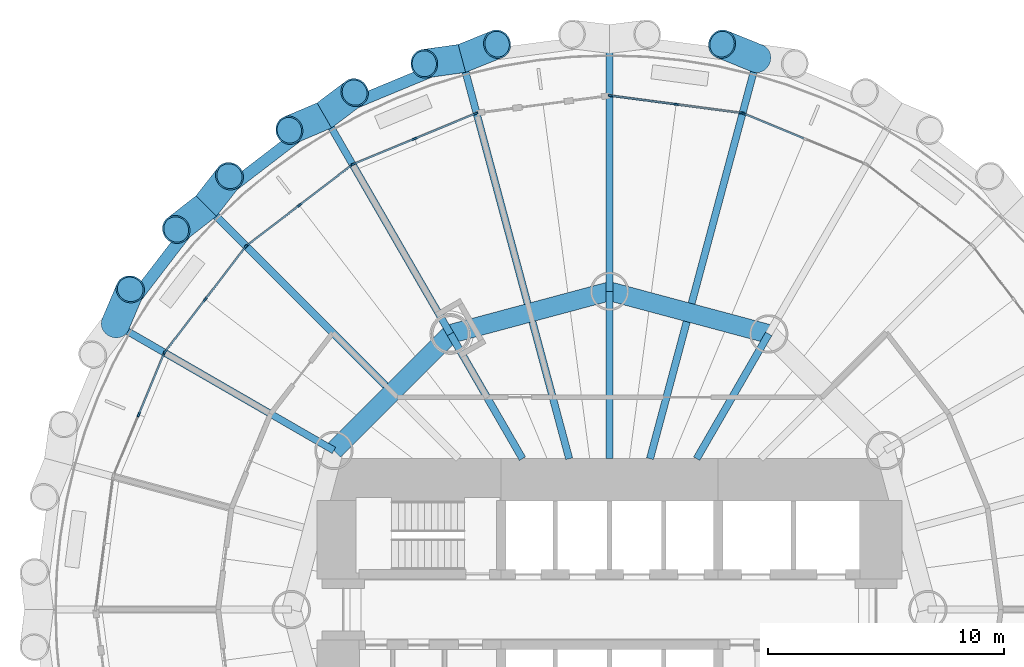
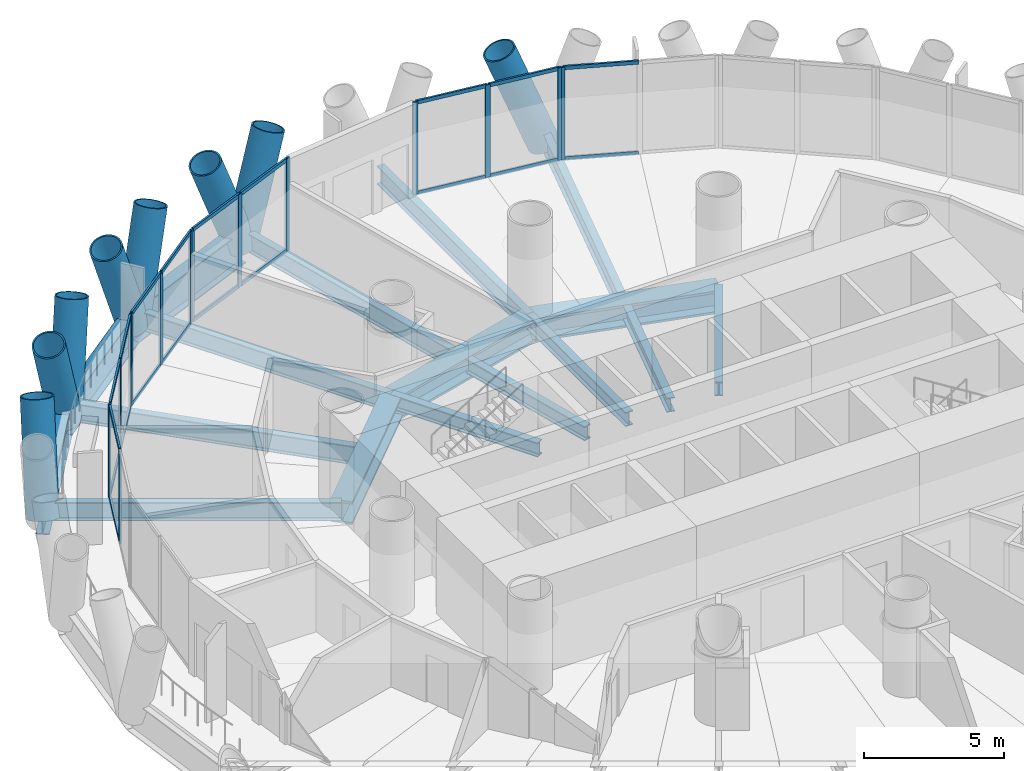
# One storey, part 6 of 16: 43 members, 17 beams, 6 elements without a shape of their own.
"""IFC4 building model written with IfcOpenShell, lengths in metres."""

from ifc_helpers import new_model, si_unit, direction, frame, origin, origin_2d, place, context, subcontext, project, spatial, rectangle, hollow_circle, i_section, extrude, material, material_profile, profile_set, type_object, element, aggregate, save


model = new_model("IFC4")

# Units and contexts
model_context = context("Model", 3, precision=1e-05, world=origin(), true_north=direction((0.0, 1.0)))
body_context = subcontext(model_context, "Body", "Model", "MODEL_VIEW")
ifc_project = project(units=[si_unit("LENGTHUNIT", "METRE"), si_unit("AREAUNIT", "SQUARE_METRE"), si_unit("VOLUMEUNIT", "CUBIC_METRE"), si_unit("PLANEANGLEUNIT", "RADIAN"), si_unit("MASSUNIT", "GRAM", prefix="KILO")], contexts=[model_context])

# Site, building, storey
site_placement = place(None, origin())
site = spatial("IfcSite", under=ifc_project, at=site_placement, CompositionType="ELEMENT")
building_placement = place(site_placement, origin())
building = spatial("IfcBuilding", under=site, at=building_placement, Name="Qaws Media Tower", CompositionType="ELEMENT")
storey_placement = place(building_placement, frame((0.0, 0.0, 42.800048828125)))
storey = spatial("IfcBuildingStorey", under=building, at=storey_placement, Name="L08", CompositionType="ELEMENT", Elevation=42.800048828125)

# Curtain wall, member
ifc_material_1 = material(Name="Aluminium and clear glass", Category="aluminium")
curtain_wall_type = type_object("IfcCurtainWallType", Name="Unitised curtain wall CW-A", PredefinedType="NOTDEFINED", material=ifc_material_1)
curtain_wall_1_placement = place(storey_placement, origin())
curtain_wall_1 = element("IfcCurtainWall", 1, at=curtain_wall_1_placement, inside=storey, type_object=curtain_wall_type, Name="CWA curtain wall L08-05", PredefinedType="NOTDEFINED")
ifc_material_2 = material(Name="Aluminium mullion", Category="aluminium")
ifc_material_profile_1 = material_profile(ifc_material_2, rectangle(XDim=0.080078125, YDim=0.199951171875, at=origin_2d()), Name="80x200")
ifc_profile_set_1 = profile_set([ifc_material_profile_1], Name="Aluminium mullion")
member_type_1 = type_object("IfcMemberType", Name="Curtain wall mullion 80x200", PredefinedType="MULLION", material=ifc_profile_set_1)
member_1_placement = place(storey_placement, frame((65.67919921875, 71.0419921875, 0.0), z_axis=(0.0, 0.0, 1.0), x_axis=(-0.382683389393, -0.923879550311, 0.0)))
member_1 = element("IfcMember", 2, at=member_1_placement, type_object=member_type_1, Name="CWA mullion 3", PredefinedType="MULLION", context=body_context, shape_type="SweptSolid", body=[
    extrude(rectangle(XDim=0.080078125, YDim=0.199951171875, at=origin_2d()), origin(), (0.0, 0.0, 1.0), 4.0400390625),
])

# Curtain wall, members
curtain_wall_2_placement = place(storey_placement, origin())
curtain_wall_2 = element("IfcCurtainWall", 3, at=curtain_wall_2_placement, inside=storey, type_object=curtain_wall_type, Name="CWA curtain wall L08-06", PredefinedType="NOTDEFINED")
member_2_placement = place(storey_placement, frame((65.6025390625, 71.0625, 0.0), z_axis=(0.0, 0.0, 1.0), x_axis=(-0.130526198657, -0.991444860526, 0.0)))
member_2 = element("IfcMember", 4, at=member_2_placement, type_object=member_type_1, Name="CWA mullion 1", PredefinedType="MULLION", context=body_context, shape_type="SweptSolid", body=[
    extrude(rectangle(XDim=0.080078125, YDim=0.199951171875, at=origin_2d()), origin(), (0.0, 0.0, 1.0), 4.0400390625),
])
member_3_placement = place(storey_placement, frame((62.821044921875, 71.4287109375, 0.0), z_axis=(0.0, 0.0, 1.0), x_axis=(-0.130526198657, -0.991444860526, 0.0)))
member_3 = element("IfcMember", 5, at=member_3_placement, type_object=member_type_1, Name="CWA mullion 2", PredefinedType="MULLION", context=body_context, shape_type="SweptSolid", body=[
    extrude(rectangle(XDim=0.080078125, YDim=0.199951171875, at=origin_2d()), origin(), (0.0, 0.0, 1.0), 4.0400390625),
])
member_4_placement = place(storey_placement, frame((60.03955078125, 71.794677734375, 0.0), z_axis=(0.0, 0.0, 1.0), x_axis=(-0.130526198657, -0.991444860526, 0.0)))
member_4 = element("IfcMember", 6, at=member_4_placement, type_object=member_type_1, Name="CWA mullion 3", PredefinedType="MULLION", context=body_context, shape_type="SweptSolid", body=[
    extrude(rectangle(XDim=0.080078125, YDim=0.199951171875, at=origin_2d()), origin(), (0.0, 0.0, 1.0), 4.0400390625),
])

curtain_wall_3_placement = place(storey_placement, origin())
curtain_wall_3 = element("IfcCurtainWall", 7, at=curtain_wall_3_placement, inside=storey, type_object=curtain_wall_type, Name="CWA curtain wall L08-08", PredefinedType="NOTDEFINED")
member_5_placement = place(storey_placement, frame((54.32080078125, 71.0419921875, 0.0), z_axis=(0.0, 0.0, 1.0), x_axis=(0.382683389393, -0.923879550311, 0.0)))
member_5 = element("IfcMember", 8, at=member_5_placement, type_object=member_type_1, Name="CWA mullion 1", PredefinedType="MULLION", context=body_context, shape_type="SweptSolid", body=[
    extrude(rectangle(XDim=0.080078125, YDim=0.199951171875, at=origin_2d()), origin(), (0.0, 0.0, 1.0), 4.0400390625),
])
member_6_placement = place(storey_placement, frame((51.728759765625, 69.96826171875, 0.0), z_axis=(0.0, 0.0, 1.0), x_axis=(0.382683389393, -0.923879550311, 0.0)))
member_6 = element("IfcMember", 9, at=member_6_placement, type_object=member_type_1, Name="CWA mullion 2", PredefinedType="MULLION", context=body_context, shape_type="SweptSolid", body=[
    extrude(rectangle(XDim=0.080078125, YDim=0.199951171875, at=origin_2d()), origin(), (0.0, 0.0, 1.0), 4.0400390625),
])
member_7_placement = place(storey_placement, frame((49.136962890625, 68.894775390625, 0.0), z_axis=(0.0, 0.0, 1.0), x_axis=(0.382683389393, -0.923879550311, 0.0)))
member_7 = element("IfcMember", 10, at=member_7_placement, type_object=member_type_1, Name="CWA mullion 3", PredefinedType="MULLION", context=body_context, shape_type="SweptSolid", body=[
    extrude(rectangle(XDim=0.080078125, YDim=0.199951171875, at=origin_2d()), origin(), (0.0, 0.0, 1.0), 4.0400390625),
])

curtain_wall_4_placement = place(storey_placement, origin())
curtain_wall_4 = element("IfcCurtainWall", 11, at=curtain_wall_4_placement, inside=storey, type_object=curtain_wall_type, Name="CWA curtain wall L08-09", PredefinedType="NOTDEFINED")
member_8_placement = place(storey_placement, frame((49.068359375, 68.85498046875, 0.0), z_axis=(0.0, 0.0, 1.0), x_axis=(0.608761417599, -0.793353349046, 0.0)))
member_8 = element("IfcMember", 12, at=member_8_placement, type_object=member_type_1, Name="CWA mullion 1", PredefinedType="MULLION", context=body_context, shape_type="SweptSolid", body=[
    extrude(rectangle(XDim=0.080078125, YDim=0.199951171875, at=origin_2d()), origin(), (0.0, 0.0, 1.0), 4.0400390625),
])
member_9_placement = place(storey_placement, frame((46.842529296875, 67.147216796875, 0.0), z_axis=(0.0, 0.0, 1.0), x_axis=(0.608761417599, -0.793353349046, 0.0)))
member_9 = element("IfcMember", 13, at=member_9_placement, type_object=member_type_1, Name="CWA mullion 2", PredefinedType="MULLION", context=body_context, shape_type="SweptSolid", body=[
    extrude(rectangle(XDim=0.080078125, YDim=0.199951171875, at=origin_2d()), origin(), (0.0, 0.0, 1.0), 4.0400390625),
])
member_10_placement = place(storey_placement, frame((44.61669921875, 65.439208984375, 0.0), z_axis=(0.0, 0.0, 1.0), x_axis=(0.608761417599, -0.793353349046, 0.0)))
member_10 = element("IfcMember", 14, at=member_10_placement, type_object=member_type_1, Name="CWA mullion 3", PredefinedType="MULLION", context=body_context, shape_type="SweptSolid", body=[
    extrude(rectangle(XDim=0.080078125, YDim=0.199951171875, at=origin_2d()), origin(), (0.0, 0.0, 1.0), 4.0400390625),
])

curtain_wall_5_placement = place(storey_placement, origin())
curtain_wall_5 = element("IfcCurtainWall", 15, at=curtain_wall_5_placement, inside=storey, type_object=curtain_wall_type, Name="CWA curtain wall L08-10", PredefinedType="NOTDEFINED")
member_11_placement = place(storey_placement, frame((44.560791015625, 65.38330078125, 0.0), z_axis=(0.0, 0.0, 1.0), x_axis=(0.793353349046, -0.608761417599, 0.0)))
member_11 = element("IfcMember", 16, at=member_11_placement, type_object=member_type_1, Name="CWA mullion 1", PredefinedType="MULLION", context=body_context, shape_type="SweptSolid", body=[
    extrude(rectangle(XDim=0.080078125, YDim=0.199951171875, at=origin_2d()), origin(), (0.0, 0.0, 1.0), 4.0400390625),
])
member_12_placement = place(storey_placement, frame((42.852783203125, 63.157470703125, 0.0), z_axis=(0.0, 0.0, 1.0), x_axis=(0.793353349046, -0.608761417599, 0.0)))
member_12 = element("IfcMember", 17, at=member_12_placement, type_object=member_type_1, Name="CWA mullion 2", PredefinedType="MULLION", context=body_context, shape_type="SweptSolid", body=[
    extrude(rectangle(XDim=0.080078125, YDim=0.199951171875, at=origin_2d()), origin(), (0.0, 0.0, 1.0), 4.0400390625),
])
member_13_placement = place(storey_placement, frame((41.14501953125, 60.931640625, 0.0), z_axis=(0.0, 0.0, 1.0), x_axis=(0.793353349046, -0.608761417599, 0.0)))
member_13 = element("IfcMember", 18, at=member_13_placement, type_object=member_type_1, Name="CWA mullion 3", PredefinedType="MULLION", context=body_context, shape_type="SweptSolid", body=[
    extrude(rectangle(XDim=0.080078125, YDim=0.199951171875, at=origin_2d()), origin(), (0.0, 0.0, 1.0), 4.0400390625),
])

curtain_wall_6_placement = place(storey_placement, origin())
curtain_wall_6 = element("IfcCurtainWall", 19, at=curtain_wall_6_placement, inside=storey, type_object=curtain_wall_type, Name="CWA curtain wall L08-11", PredefinedType="NOTDEFINED")
member_14_placement = place(storey_placement, frame((41.105224609375, 60.863037109375, 0.0), z_axis=(0.0, 0.0, 1.0), x_axis=(0.923879550311, -0.382683389393, 0.0)))
member_14 = element("IfcMember", 20, at=member_14_placement, type_object=member_type_1, Name="CWA mullion 1", PredefinedType="MULLION", context=body_context, shape_type="SweptSolid", body=[
    extrude(rectangle(XDim=0.080078125, YDim=0.199951171875, at=origin_2d()), origin(), (0.0, 0.0, 1.0), 4.0400390625),
])
member_15_placement = place(storey_placement, frame((40.03173828125, 58.271240234375, 0.0), z_axis=(0.0, 0.0, 1.0), x_axis=(0.923879550311, -0.382683389393, 0.0)))
member_15 = element("IfcMember", 21, at=member_15_placement, type_object=member_type_1, Name="CWA mullion 2", PredefinedType="MULLION", context=body_context, shape_type="SweptSolid", body=[
    extrude(rectangle(XDim=0.080078125, YDim=0.199951171875, at=origin_2d()), origin(), (0.0, 0.0, 1.0), 4.0400390625),
])

# Member
ifc_material_3 = material(Name="Aluminium transom", Category="aluminium")
ifc_material_profile_2 = material_profile(ifc_material_3, rectangle(XDim=0.080078125, YDim=0.159912109375, at=origin_2d()), Name="80x160")
ifc_profile_set_2 = profile_set([ifc_material_profile_2], Name="Aluminium transom")
member_type_2 = type_object("IfcMemberType", Name="Curtain wall transom 80x160", PredefinedType="USERDEFINED", material=ifc_profile_set_2)
member_16_placement = place(storey_placement, frame((68.234130859375, 69.983642578125, 0.0400390625), z_axis=(-0.923885824628, 0.382668241498, 0.0), x_axis=(-0.382668241498, -0.923885824628, 0.0)))
member_16 = element("IfcMember", 22, at=member_16_placement, type_object=member_type_2, Name="CWA transom 2.1", ObjectType="TRANSOM", PredefinedType="USERDEFINED", context=body_context, shape_type="SweptSolid", body=[
    extrude(rectangle(XDim=0.080078125, YDim=0.159912109375, at=origin_2d()), origin(), (0.0, 0.0, 1.0), 2.7255859375),
])

member_17_placement = place(storey_placement, frame((68.234130859375, 69.983642578125, 4.0), z_axis=(-0.923885824628, 0.382668241498, 0.0), x_axis=(-0.382668241498, -0.923885824628, 0.0)))
member_17 = element("IfcMember", 23, at=member_17_placement, type_object=member_type_2, Name="CWA transom 2.2", ObjectType="TRANSOM", PredefinedType="USERDEFINED", context=body_context, shape_type="SweptSolid", body=[
    extrude(rectangle(XDim=0.080078125, YDim=0.159912109375, at=origin_2d()), origin(), (0.0, 0.0, 1.0), 2.7255859375),
])

aggregate(curtain_wall_1, [member_1, member_16, member_17])

member_18_placement = place(storey_placement, frame((65.56298828125, 71.067626953125, 0.0400390625), z_axis=(-0.991446366479, 0.130514759302, 0.0), x_axis=(-0.130514759302, -0.991446366479, 0.0)))
member_18 = element("IfcMember", 24, at=member_18_placement, type_object=member_type_2, Name="CWA transom 1.1", ObjectType="TRANSOM", PredefinedType="USERDEFINED", context=body_context, shape_type="SweptSolid", body=[
    extrude(rectangle(XDim=0.080078125, YDim=0.159912109375, at=origin_2d()), origin(), (0.0, 0.0, 1.0), 2.725341796875),
])

member_19_placement = place(storey_placement, frame((65.56298828125, 71.067626953125, 4.0), z_axis=(-0.991446366479, 0.130514759302, 0.0), x_axis=(-0.130514759302, -0.991446366479, 0.0)))
member_19 = element("IfcMember", 25, at=member_19_placement, type_object=member_type_2, Name="CWA transom 1.2", ObjectType="TRANSOM", PredefinedType="USERDEFINED", context=body_context, shape_type="SweptSolid", body=[
    extrude(rectangle(XDim=0.080078125, YDim=0.159912109375, at=origin_2d()), origin(), (0.0, 0.0, 1.0), 2.725341796875),
])

member_20_placement = place(storey_placement, frame((62.781494140625, 71.433837890625, 0.0400390625), z_axis=(-0.991446366479, 0.130514759302, 0.0), x_axis=(-0.130514759302, -0.991446366479, 0.0)))
member_20 = element("IfcMember", 26, at=member_20_placement, type_object=member_type_2, Name="CWA transom 2.1", ObjectType="TRANSOM", PredefinedType="USERDEFINED", context=body_context, shape_type="SweptSolid", body=[
    extrude(rectangle(XDim=0.080078125, YDim=0.159912109375, at=origin_2d()), origin(), (0.0, 0.0, 1.0), 2.725341796875),
])

member_21_placement = place(storey_placement, frame((62.781494140625, 71.433837890625, 4.0), z_axis=(-0.991446366479, 0.130514759302, 0.0), x_axis=(-0.130514759302, -0.991446366479, 0.0)))
member_21 = element("IfcMember", 27, at=member_21_placement, type_object=member_type_2, Name="CWA transom 2.2", ObjectType="TRANSOM", PredefinedType="USERDEFINED", context=body_context, shape_type="SweptSolid", body=[
    extrude(rectangle(XDim=0.080078125, YDim=0.159912109375, at=origin_2d()), origin(), (0.0, 0.0, 1.0), 2.725341796875),
])

aggregate(curtain_wall_2, [member_2, member_3, member_4, member_18, member_19, member_20, member_21])

member_22_placement = place(storey_placement, frame((54.283935546875, 71.026611328125, 0.0400390625), z_axis=(-0.923885824628, -0.382668241498, 0.0), x_axis=(0.382668241498, -0.923885824628, 0.0)))
member_22 = element("IfcMember", 28, at=member_22_placement, type_object=member_type_2, Name="CWA transom 1.1", ObjectType="TRANSOM", PredefinedType="USERDEFINED", context=body_context, shape_type="SweptSolid", body=[
    extrude(rectangle(XDim=0.080078125, YDim=0.159912109375, at=origin_2d()), origin(), (0.0, 0.0, 1.0), 2.7255859375),
])

member_23_placement = place(storey_placement, frame((54.283935546875, 71.026611328125, 4.0), z_axis=(-0.923885824628, -0.382668241498, 0.0), x_axis=(0.382668241498, -0.923885824628, 0.0)))
member_23 = element("IfcMember", 29, at=member_23_placement, type_object=member_type_2, Name="CWA transom 1.2", ObjectType="TRANSOM", PredefinedType="USERDEFINED", context=body_context, shape_type="SweptSolid", body=[
    extrude(rectangle(XDim=0.080078125, YDim=0.159912109375, at=origin_2d()), origin(), (0.0, 0.0, 1.0), 2.7255859375),
])

member_24_placement = place(storey_placement, frame((51.69189453125, 69.952880859375, 0.0400390625), z_axis=(-0.923885824628, -0.382668241498, 0.0), x_axis=(0.382668241498, -0.923885824628, 0.0)))
member_24 = element("IfcMember", 30, at=member_24_placement, type_object=member_type_2, Name="CWA transom 2.1", ObjectType="TRANSOM", PredefinedType="USERDEFINED", context=body_context, shape_type="SweptSolid", body=[
    extrude(rectangle(XDim=0.080078125, YDim=0.159912109375, at=origin_2d()), origin(), (0.0, 0.0, 1.0), 2.7255859375),
])

member_25_placement = place(storey_placement, frame((51.69189453125, 69.952880859375, 4.0), z_axis=(-0.923885824628, -0.382668241498, 0.0), x_axis=(0.382668241498, -0.923885824628, 0.0)))
member_25 = element("IfcMember", 31, at=member_25_placement, type_object=member_type_2, Name="CWA transom 2.2", ObjectType="TRANSOM", PredefinedType="USERDEFINED", context=body_context, shape_type="SweptSolid", body=[
    extrude(rectangle(XDim=0.080078125, YDim=0.159912109375, at=origin_2d()), origin(), (0.0, 0.0, 1.0), 2.7255859375),
])

aggregate(curtain_wall_3, [member_5, member_6, member_7, member_22, member_23, member_24, member_25])

member_26_placement = place(storey_placement, frame((49.03662109375, 68.83056640625, 0.0400390625), z_axis=(-0.793362647097, -0.608749299951, 0.0), x_axis=(0.608749299951, -0.793362647097, 0.0)))
member_26 = element("IfcMember", 32, at=member_26_placement, type_object=member_type_2, Name="CWA transom 1.1", ObjectType="TRANSOM", PredefinedType="USERDEFINED", context=body_context, shape_type="SweptSolid", body=[
    extrude(rectangle(XDim=0.080078125, YDim=0.159912109375, at=origin_2d()), origin(), (0.0, 0.0, 1.0), 2.7255859375),
])

member_27_placement = place(storey_placement, frame((49.03662109375, 68.83056640625, 4.0), z_axis=(-0.793362647097, -0.608749299951, 0.0), x_axis=(0.608749299951, -0.793362647097, 0.0)))
member_27 = element("IfcMember", 33, at=member_27_placement, type_object=member_type_2, Name="CWA transom 1.2", ObjectType="TRANSOM", PredefinedType="USERDEFINED", context=body_context, shape_type="SweptSolid", body=[
    extrude(rectangle(XDim=0.080078125, YDim=0.159912109375, at=origin_2d()), origin(), (0.0, 0.0, 1.0), 2.7255859375),
])

member_28_placement = place(storey_placement, frame((46.810791015625, 67.122802734375, 0.0400390625), z_axis=(-0.793362647097, -0.608749299951, 0.0), x_axis=(0.608749299951, -0.793362647097, 0.0)))
member_28 = element("IfcMember", 34, at=member_28_placement, type_object=member_type_2, Name="CWA transom 2.1", ObjectType="TRANSOM", PredefinedType="USERDEFINED", context=body_context, shape_type="SweptSolid", body=[
    extrude(rectangle(XDim=0.080078125, YDim=0.159912109375, at=origin_2d()), origin(), (0.0, 0.0, 1.0), 2.7255859375),
])

member_29_placement = place(storey_placement, frame((46.810791015625, 67.122802734375, 4.0), z_axis=(-0.793362647097, -0.608749299951, 0.0), x_axis=(0.608749299951, -0.793362647097, 0.0)))
member_29 = element("IfcMember", 35, at=member_29_placement, type_object=member_type_2, Name="CWA transom 2.2", ObjectType="TRANSOM", PredefinedType="USERDEFINED", context=body_context, shape_type="SweptSolid", body=[
    extrude(rectangle(XDim=0.080078125, YDim=0.159912109375, at=origin_2d()), origin(), (0.0, 0.0, 1.0), 2.7255859375),
])

aggregate(curtain_wall_4, [member_8, member_9, member_10, member_26, member_27, member_28, member_29])

member_30_placement = place(storey_placement, frame((44.536376953125, 65.3515625, 0.0400390625), z_axis=(-0.608749299951, -0.793362647097, 0.0), x_axis=(0.793362647097, -0.608749299951, 0.0)))
member_30 = element("IfcMember", 36, at=member_30_placement, type_object=member_type_2, Name="CWA transom 1.1", ObjectType="TRANSOM", PredefinedType="USERDEFINED", context=body_context, shape_type="SweptSolid", body=[
    extrude(rectangle(XDim=0.080078125, YDim=0.159912109375, at=origin_2d()), origin(), (0.0, 0.0, 1.0), 2.7255859375),
])

member_31_placement = place(storey_placement, frame((44.536376953125, 65.3515625, 4.0), z_axis=(-0.608749299951, -0.793362647097, 0.0), x_axis=(0.793362647097, -0.608749299951, 0.0)))
member_31 = element("IfcMember", 37, at=member_31_placement, type_object=member_type_2, Name="CWA transom 1.2", ObjectType="TRANSOM", PredefinedType="USERDEFINED", context=body_context, shape_type="SweptSolid", body=[
    extrude(rectangle(XDim=0.080078125, YDim=0.159912109375, at=origin_2d()), origin(), (0.0, 0.0, 1.0), 2.7255859375),
])

member_32_placement = place(storey_placement, frame((42.82861328125, 63.125732421875, 0.0400390625), z_axis=(-0.608749299951, -0.793362647097, 0.0), x_axis=(0.793362647097, -0.608749299951, 0.0)))
member_32 = element("IfcMember", 38, at=member_32_placement, type_object=member_type_2, Name="CWA transom 2.1", ObjectType="TRANSOM", PredefinedType="USERDEFINED", context=body_context, shape_type="SweptSolid", body=[
    extrude(rectangle(XDim=0.080078125, YDim=0.159912109375, at=origin_2d()), origin(), (0.0, 0.0, 1.0), 2.7255859375),
])

member_33_placement = place(storey_placement, frame((42.82861328125, 63.125732421875, 4.0), z_axis=(-0.608749299951, -0.793362647097, 0.0), x_axis=(0.793362647097, -0.608749299951, 0.0)))
member_33 = element("IfcMember", 39, at=member_33_placement, type_object=member_type_2, Name="CWA transom 2.2", ObjectType="TRANSOM", PredefinedType="USERDEFINED", context=body_context, shape_type="SweptSolid", body=[
    extrude(rectangle(XDim=0.080078125, YDim=0.159912109375, at=origin_2d()), origin(), (0.0, 0.0, 1.0), 2.7255859375),
])

aggregate(curtain_wall_5, [member_11, member_12, member_13, member_30, member_31, member_32, member_33])

member_34_placement = place(storey_placement, frame((41.090087890625, 60.826171875, 0.0400390625), z_axis=(-0.382668241498, -0.923885824628, 0.0), x_axis=(0.923885824628, -0.382668241498, 0.0)))
member_34 = element("IfcMember", 40, at=member_34_placement, type_object=member_type_2, Name="CWA transom 1.1", ObjectType="TRANSOM", PredefinedType="USERDEFINED", context=body_context, shape_type="SweptSolid", body=[
    extrude(rectangle(XDim=0.080078125, YDim=0.159912109375, at=origin_2d()), origin(), (0.0, 0.0, 1.0), 2.7255859375),
])

member_35_placement = place(storey_placement, frame((41.090087890625, 60.826171875, 4.0), z_axis=(-0.382668241498, -0.923885824628, 0.0), x_axis=(0.923885824628, -0.382668241498, 0.0)))
member_35 = element("IfcMember", 41, at=member_35_placement, type_object=member_type_2, Name="CWA transom 1.2", ObjectType="TRANSOM", PredefinedType="USERDEFINED", context=body_context, shape_type="SweptSolid", body=[
    extrude(rectangle(XDim=0.080078125, YDim=0.159912109375, at=origin_2d()), origin(), (0.0, 0.0, 1.0), 2.7255859375),
])

aggregate(curtain_wall_6, [member_14, member_15, member_34, member_35])

# Members
ifc_material_4 = material(Name="Steel S460", Category="steel")
ifc_material_profile_3 = material_profile(ifc_material_4, hollow_circle(Radius=0.609619140625, WallThickness=0.06005859375, at=origin_2d()), Name="CHS 1219x60")
ifc_profile_set_3 = profile_set([ifc_material_profile_3], Name="Steel S460")
member_type_3 = type_object("IfcMemberType", Name="Diagrid member CHS 1219x60", PredefinedType="USERDEFINED", material=ifc_profile_set_3)
for number, where, z_axis, x_axis, name in (
    (42, (66.263427734375, 73.37548828125, -0.91015625), (-0.331970024406, 0.134426965907, 0.933662301763), (-0.375332249798, -0.926890339933, 0.0), "DG1 diagrid L08 A06"),
    (43, (53.736572265625, 73.37548828125, -0.91015625), (-0.354708414218, -0.049602737239, 0.933660275122), (0.138493286786, -0.990363372463, 0.0), "DG1 diagrid L08 A08"),
    (44, (53.736572265625, 73.37548828125, -0.91015625), (0.331970024406, 0.134426965907, 0.933662301763), (-0.375332249798, 0.926890339933, 0.0), "DG1 diagrid L08 B08"),
    (45, (47.89990234375, 70.957763671875, -0.91015625), (-0.329798159412, -0.139690712906, 0.933659294805), (0.390020571531, -0.920806143432, 0.0), "DG1 diagrid L08 A09"),
):
    element("IfcMember", number, at=place(storey_placement, frame(where, z_axis=z_axis, x_axis=x_axis)), inside=storey, type_object=member_type_3, Name=name, ObjectType="DIAGRID", PredefinedType="USERDEFINED", context=body_context, shape_type="SweptSolid", body=[
        extrude(hollow_circle(Radius=0.609619140625, WallThickness=0.06005859375, at=origin_2d()), origin(), (0.0, 0.0, 1.0), 4.49853515625),
    ])
member_36_placement = place(storey_placement, frame((47.89990234375, 70.957763671875, -0.91015625), z_axis=(0.285891710436, 0.215775520253, 0.933652427172), x_axis=(-0.602421476492, 0.79817815346, 0.0)))
element("IfcMember", 46, at=member_36_placement, inside=storey, type_object=member_type_3, Name="DG1 diagrid L08 B09", ObjectType="DIAGRID", PredefinedType="USERDEFINED", context=body_context, shape_type="SweptSolid", body=[
    extrude(hollow_circle(Radius=0.609619140625, WallThickness=0.06005859375, at=origin_2d()), origin(), (0.0, 0.0, 1.0), 4.498779296875),
])
for number, where, z_axis, x_axis, name in (
    (47, (42.887939453125, 67.112060546875, -0.91015625), (-0.282419836308, -0.220280959949, 0.933656968455), (0.615020493965, -0.788511123576, 0.0), "DG1 diagrid L08 A10"),
    (48, (42.887939453125, 67.112060546875, -0.91015625), (0.220280959949, 0.282419836308, 0.933656968455), (-0.788511123576, 0.615020493965, 0.0), "DG1 diagrid L08 B10"),
    (49, (39.042236328125, 62.10009765625, -0.91015625), (0.139690712906, 0.329798159412, 0.933659294805), (-0.920806143432, 0.390020571531, 0.0), "DG1 diagrid L08 B11"),
):
    element("IfcMember", number, at=place(storey_placement, frame(where, z_axis=z_axis, x_axis=x_axis)), inside=storey, type_object=member_type_3, Name=name, ObjectType="DIAGRID", PredefinedType="USERDEFINED", context=body_context, shape_type="SweptSolid", body=[
        extrude(hollow_circle(Radius=0.609619140625, WallThickness=0.06005859375, at=origin_2d()), origin(), (0.0, 0.0, 1.0), 4.49853515625),
    ])

# Beams
ifc_material_5 = material(Name="Steel S460", Category="steel")
ifc_material_profile_4 = material_profile(ifc_material_5, i_section(OverallWidth=0.5, OverallDepth=1.5, WebThickness=0.02001953125, FlangeThickness=0.0400390625, at=origin_2d()), Name="PG 1500x500")
ifc_profile_set_4 = profile_set([ifc_material_profile_4], Name="Steel S460")
beam_type_1 = type_object("IfcBeamType", Name="Edge ring beam PG 1500x500", PredefinedType="BEAM", material=ifc_profile_set_4)
beam_1_placement = place(storey_placement, frame((53.736572265625, 73.37548828125, -0.91015625), z_axis=(-0.923874116934, -0.382696506463, 0.0), x_axis=(0.382696506463, -0.923874116934, 0.0)))
element("IfcBeam", 50, at=beam_1_placement, inside=storey, type_object=beam_type_1, Name="RB4 edge ring beam L08-08", PredefinedType="BEAM", context=body_context, shape_type="SweptSolid", body=[
    extrude(i_section(OverallWidth=0.5, OverallDepth=1.5, WebThickness=0.02001953125, FlangeThickness=0.0400390625, at=origin_2d()), origin(), (0.0, 0.0, 1.0), 6.317626953125),
])
for number, where, z_axis, x_axis, name in (
    (51, (47.89990234375, 70.957763671875, -0.91015625), (-0.793361846321, -0.608750343575, 0.0), (0.608750343575, -0.793361846321, 0.0), "RB4 edge ring beam L08-09"),
    (52, (42.887939453125, 67.112060546875, -0.91015625), (-0.608750343575, -0.793361846321, 0.0), (0.793361846321, -0.608750343575, 0.0), "RB4 edge ring beam L08-10"),
):
    element("IfcBeam", number, at=place(storey_placement, frame(where, z_axis=z_axis, x_axis=x_axis)), inside=storey, type_object=beam_type_1, Name=name, PredefinedType="BEAM", context=body_context, shape_type="SweptSolid", body=[
        extrude(i_section(OverallWidth=0.5, OverallDepth=1.5, WebThickness=0.02001953125, FlangeThickness=0.0400390625, at=origin_2d()), origin(), (0.0, 0.0, 1.0), 6.3173828125),
    ])
ifc_material_6 = material(Name="Steel S460", Category="steel")
ifc_material_profile_5 = material_profile(ifc_material_6, i_section(OverallWidth=0.800048828125, OverallDepth=1.0, WebThickness=0.0400390625, FlangeThickness=0.10009765625, at=origin_2d()), Name="PG 1000x800")
ifc_profile_set_5 = profile_set([ifc_material_profile_5], Name="Steel S460")
beam_type_2 = type_object("IfcBeamType", Name="Inner ring girder PG 1000x800", PredefinedType="BEAM", material=ifc_profile_set_5)
for number, where, z_axis, x_axis, name in (
    (53, (66.75, 61.69140625, -0.66015625), (-0.965928090778, 0.258810593767, 0.0), (-0.258810593767, -0.965928090778, 0.0), "B3 inner ring beam L08 I03-I04"),
    (54, (60.0, 63.5, -0.66015625), (-0.965928090778, -0.258810593767, 0.0), (0.258810593767, -0.965928090778, 0.0), "B3 inner ring beam L08 I04-I05"),
):
    element("IfcBeam", number, at=place(storey_placement, frame(where, z_axis=z_axis, x_axis=x_axis)), inside=storey, type_object=beam_type_2, Name=name, PredefinedType="BEAM", context=body_context, shape_type="SweptSolid", body=[
        extrude(i_section(OverallWidth=0.800048828125, OverallDepth=1.0, WebThickness=0.0400390625, FlangeThickness=0.10009765625, at=origin_2d()), origin(), (0.0, 0.0, 1.0), 6.988037109375),
    ])
beam_2_placement = place(storey_placement, frame((53.25, 61.69140625, -0.66015625), z_axis=(-0.707106781187, -0.707106781187, 0.0), x_axis=(0.707106781187, -0.707106781187, 0.0)))
element("IfcBeam", 55, at=beam_2_placement, inside=storey, type_object=beam_type_2, Name="B3 inner ring beam L08 I05-I06", PredefinedType="BEAM", context=body_context, shape_type="SweptSolid", body=[
    extrude(i_section(OverallWidth=0.800048828125, OverallDepth=1.0, WebThickness=0.0400390625, FlangeThickness=0.10009765625, at=origin_2d()), origin(), (0.0, 0.0, 1.0), 6.98828125),
])
ifc_material_7 = material(Name="Steel S355", Category="steel")
ifc_material_profile_6 = material_profile(ifc_material_7, i_section(OverallWidth=0.304931640625, OverallDepth=0.6201171875, WebThickness=0.02099609375, FlangeThickness=0.0400390625, FilletRadius=0.027099609375, at=origin_2d()), Name="HE 600 M")
ifc_profile_set_6 = profile_set([ifc_material_profile_6], Name="Steel S355")
beam_type_3 = type_object("IfcBeamType", Name="Radial beam HE 600 M, core side", PredefinedType="BEAM", material=ifc_profile_set_6)
beam_3_placement = place(storey_placement, frame((63.695068359375, 56.39990234375, -0.469970703125), z_axis=(0.49998532359, 0.866033877048, 0.0), x_axis=(-0.866033877048, 0.49998532359, 0.0)))
element("IfcBeam", 56, at=beam_3_placement, inside=storey, type_object=beam_type_3, Name="B2 radial beam L08 05", PredefinedType="BEAM", context=body_context, shape_type="SweptSolid", body=[
    extrude(i_section(OverallWidth=0.304931640625, OverallDepth=0.6201171875, WebThickness=0.02099609375, FlangeThickness=0.0400390625, FilletRadius=0.027099609375, at=origin_2d()), origin(), (0.0, 0.0, 1.0), 6.110107421875),
])
beam_4_placement = place(storey_placement, frame((61.71484375, 56.39990234375, -0.469970703125), z_axis=(0.258824687089, 0.965924314506, 0.0), x_axis=(-0.965924314506, 0.258824687089, 0.0)))
element("IfcBeam", 57, at=beam_4_placement, inside=storey, type_object=beam_type_3, Name="B2 radial beam L08 06", PredefinedType="BEAM", context=body_context, shape_type="SweptSolid", body=[
    extrude(i_section(OverallWidth=0.304931640625, OverallDepth=0.6201171875, WebThickness=0.02099609375, FlangeThickness=0.0400390625, FilletRadius=0.027099609375, at=origin_2d()), origin(), (0.0, 0.0, 1.0), 6.01416015625),
])
beam_5_placement = place(storey_placement, frame((60.0, 56.39990234375, -0.469970703125), z_axis=(0.0, 1.0, 0.0), x_axis=(-1.0, 0.0, 0.0)))
element("IfcBeam", 58, at=beam_5_placement, inside=storey, type_object=beam_type_3, Name="B2 radial beam L08 07", PredefinedType="BEAM", context=body_context, shape_type="SweptSolid", body=[
    extrude(i_section(OverallWidth=0.304931640625, OverallDepth=0.6201171875, WebThickness=0.02099609375, FlangeThickness=0.0400390625, FilletRadius=0.027099609375, at=origin_2d()), origin(), (0.0, 0.0, 1.0), 7.10009765625),
])
beam_6_placement = place(storey_placement, frame((58.28515625, 56.39990234375, -0.469970703125), z_axis=(-0.258824687089, 0.965924314506, 0.0), x_axis=(-0.965924314506, -0.258824687089, 0.0)))
element("IfcBeam", 59, at=beam_6_placement, inside=storey, type_object=beam_type_3, Name="B2 radial beam L08 08", PredefinedType="BEAM", context=body_context, shape_type="SweptSolid", body=[
    extrude(i_section(OverallWidth=0.304931640625, OverallDepth=0.6201171875, WebThickness=0.02099609375, FlangeThickness=0.0400390625, FilletRadius=0.027099609375, at=origin_2d()), origin(), (0.0, 0.0, 1.0), 6.01416015625),
])
beam_7_placement = place(storey_placement, frame((56.304931640625, 56.39990234375, -0.469970703125), z_axis=(-0.49998532359, 0.866033877048, 0.0), x_axis=(-0.866033877048, -0.49998532359, 0.0)))
element("IfcBeam", 60, at=beam_7_placement, inside=storey, type_object=beam_type_3, Name="B2 radial beam L08 09", PredefinedType="BEAM", context=body_context, shape_type="SweptSolid", body=[
    extrude(i_section(OverallWidth=0.304931640625, OverallDepth=0.6201171875, WebThickness=0.02099609375, FlangeThickness=0.0400390625, FilletRadius=0.027099609375, at=origin_2d()), origin(), (0.0, 0.0, 1.0), 6.110107421875),
])
ifc_material_8 = material(Name="Steel S355", Category="steel")
ifc_material_profile_7 = material_profile(ifc_material_8, i_section(OverallWidth=0.300048828125, OverallDepth=0.800048828125, WebThickness=0.017578125, FlangeThickness=0.032958984375, FilletRadius=0.030029296875, at=origin_2d()), Name="HE 800 B")
ifc_profile_set_7 = profile_set([ifc_material_profile_7], Name="Steel S355")
beam_type_4 = type_object("IfcBeamType", Name="Radial beam HE 800 B", PredefinedType="BEAM", material=ifc_profile_set_7)
beam_8_placement = place(storey_placement, frame((63.478515625, 62.98193359375, -0.56005859375), z_axis=(0.25881622915, 0.965926580817, 0.0), x_axis=(-0.965926580817, 0.25881622915, 0.0)))
element("IfcBeam", 61, at=beam_8_placement, inside=storey, type_object=beam_type_4, Name="B1 radial beam L08 06", PredefinedType="BEAM", context=body_context, shape_type="SweptSolid", body=[
    extrude(i_section(OverallWidth=0.300048828125, OverallDepth=0.800048828125, WebThickness=0.017578125, FlangeThickness=0.032958984375, FilletRadius=0.030029296875, at=origin_2d()), origin(), (0.0, 0.0, 1.0), 10.76025390625),
])
beam_9_placement = place(storey_placement, frame((60.0, 63.5, -0.56005859375), z_axis=(0.0, 1.0, 0.0), x_axis=(-1.0, 0.0, 0.0)))
element("IfcBeam", 62, at=beam_9_placement, inside=storey, type_object=beam_type_4, Name="B1 radial beam L08 07", PredefinedType="BEAM", context=body_context, shape_type="SweptSolid", body=[
    extrude(i_section(OverallWidth=0.300048828125, OverallDepth=0.800048828125, WebThickness=0.017578125, FlangeThickness=0.032958984375, FilletRadius=0.030029296875, at=origin_2d()), origin(), (0.0, 0.0, 1.0), 10.699951171875),
])
beam_10_placement = place(storey_placement, frame((56.521484375, 62.98193359375, -0.56005859375), z_axis=(-0.25881622915, 0.965926580817, 0.0), x_axis=(-0.965926580817, -0.25881622915, 0.0)))
element("IfcBeam", 63, at=beam_10_placement, inside=storey, type_object=beam_type_4, Name="B1 radial beam L08 08", PredefinedType="BEAM", context=body_context, shape_type="SweptSolid", body=[
    extrude(i_section(OverallWidth=0.300048828125, OverallDepth=0.800048828125, WebThickness=0.017578125, FlangeThickness=0.032958984375, FilletRadius=0.030029296875, at=origin_2d()), origin(), (0.0, 0.0, 1.0), 10.76025390625),
])
beam_11_placement = place(storey_placement, frame((53.25, 61.69140625, -0.56005859375), z_axis=(-0.500011474612, 0.866018778813, 0.0), x_axis=(-0.866018778813, -0.500011474612, 0.0)))
element("IfcBeam", 64, at=beam_11_placement, inside=storey, type_object=beam_type_4, Name="B1 radial beam L08 09", PredefinedType="BEAM", context=body_context, shape_type="SweptSolid", body=[
    extrude(i_section(OverallWidth=0.300048828125, OverallDepth=0.800048828125, WebThickness=0.017578125, FlangeThickness=0.032958984375, FilletRadius=0.030029296875, at=origin_2d()), origin(), (0.0, 0.0, 1.0), 10.699951171875),
])
beam_12_placement = place(storey_placement, frame((50.49658203125, 59.50341796875, -0.56005859375), z_axis=(-0.707106781187, 0.707106781187, 0.0), x_axis=(-0.707106781187, -0.707106781187, 0.0)))
element("IfcBeam", 65, at=beam_12_placement, inside=storey, type_object=beam_type_4, Name="B1 radial beam L08 10", PredefinedType="BEAM", context=body_context, shape_type="SweptSolid", body=[
    extrude(i_section(OverallWidth=0.300048828125, OverallDepth=0.800048828125, WebThickness=0.017578125, FlangeThickness=0.032958984375, FilletRadius=0.030029296875, at=origin_2d()), origin(), (0.0, 0.0, 1.0), 10.76025390625),
])
beam_13_placement = place(storey_placement, frame((48.30859375, 56.75, -0.56005859375), z_axis=(-0.866018778813, 0.500011474612, 0.0), x_axis=(-0.500011474612, -0.866018778813, 0.0)))
element("IfcBeam", 66, at=beam_13_placement, inside=storey, type_object=beam_type_4, Name="B1 radial beam L08 11", PredefinedType="BEAM", context=body_context, shape_type="SweptSolid", body=[
    extrude(i_section(OverallWidth=0.300048828125, OverallDepth=0.800048828125, WebThickness=0.017578125, FlangeThickness=0.032958984375, FilletRadius=0.030029296875, at=origin_2d()), origin(), (0.0, 0.0, 1.0), 10.699951171875),
])

save(model, "model.ifc")
